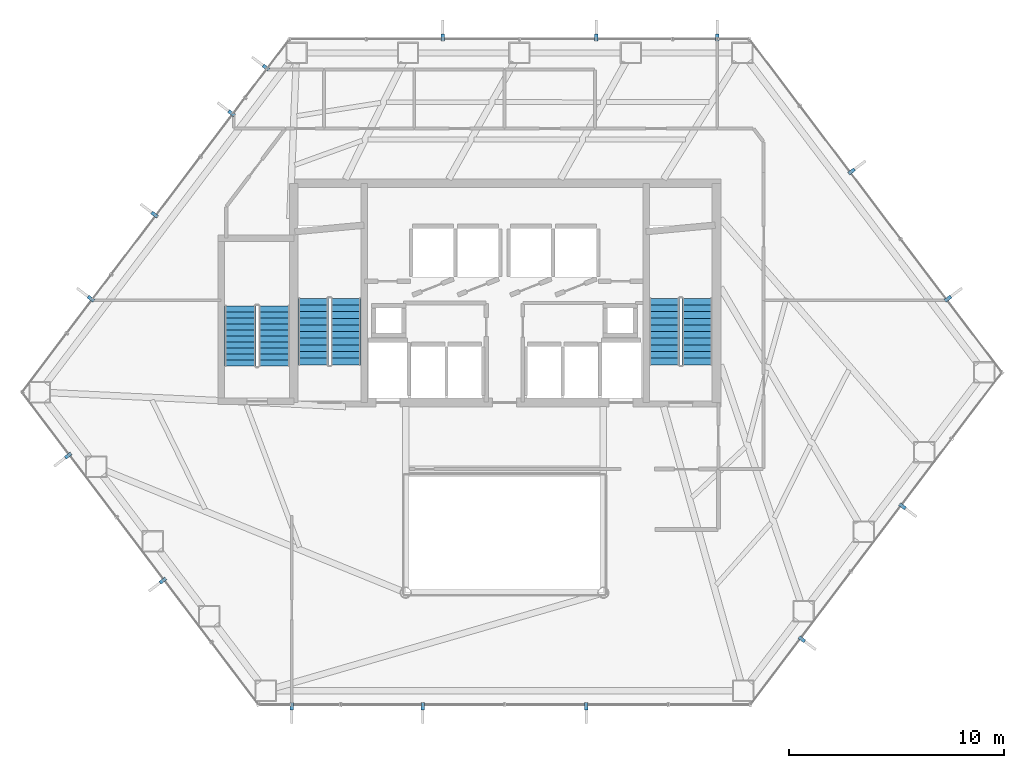
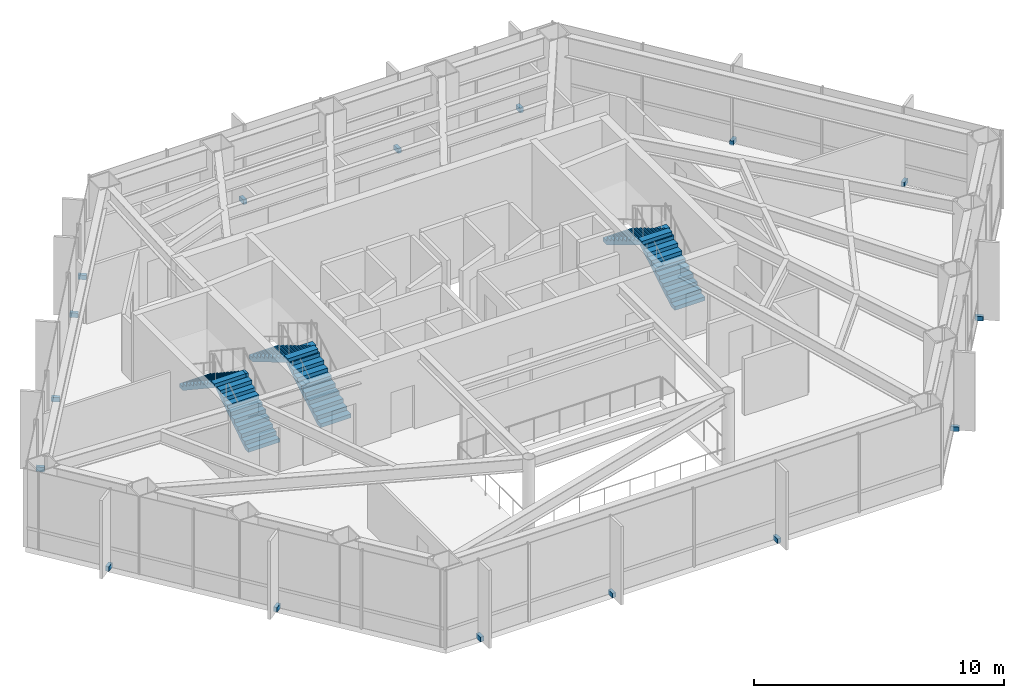
# One storey, part 25 of 26: 16 discrete accessories, 6 stair flights, 3 elements without a shape of their own.
"""IFC4 building model written with IfcOpenShell, lengths in metres."""

from ifc_helpers import new_model, si_unit, direction, frame, origin, origin_2d, place, context, subcontext, project, spatial, polyline, rectangle, outline, extrude, material, type_object, element, aggregate, save


model = new_model("IFC4")

# Units and contexts
model_context = context("Model", 3, precision=1e-05, world=origin(), true_north=direction((0.0, 1.0)))
body_context = subcontext(model_context, "Body", "Model", "MODEL_VIEW")
ifc_project = project(units=[si_unit("LENGTHUNIT", "METRE"), si_unit("AREAUNIT", "SQUARE_METRE"), si_unit("VOLUMEUNIT", "CUBIC_METRE"), si_unit("PLANEANGLEUNIT", "RADIAN"), si_unit("MASSUNIT", "GRAM", prefix="KILO")], contexts=[model_context])

# Site, building, storey
site_placement = place(None, origin())
site = spatial("IfcSite", under=ifc_project, at=site_placement, CompositionType="ELEMENT")
building_placement = place(site_placement, origin())
building = spatial("IfcBuilding", under=site, at=building_placement, Name="Zarrinselat Tower", CompositionType="ELEMENT")
storey_placement = place(building_placement, frame((0.0, 0.0, 27.5400390625)))
storey = spatial("IfcBuildingStorey", under=building, at=storey_placement, Name="L06", CompositionType="ELEMENT", Elevation=27.5400390625)

# Stair, stair flights
ifc_material_1 = material(Name="Concrete C40/50", Category="concrete")
stair_type_1 = type_object("IfcStairType", Name="STR-CORE-145", PredefinedType="HALF_TURN_STAIR", material=ifc_material_1)
stair_1_placement = place(storey_placement, origin())
stair_1 = element("IfcStair", 1, at=stair_1_placement, inside=storey, type_object=stair_type_1, Name="L06 Podium & Mid-Tower Exit Stair 3", PredefinedType="HALF_TURN_STAIR")
ifc_material_2 = material(Name="Concrete C40/50", Category="concrete")
stair_flight_type_1 = type_object("IfcStairFlightType", Name="STR-FLT-145", PredefinedType="STRAIGHT", material=ifc_material_2)
stair_flight_1_placement = place(storey_placement, frame((27.675048828125, 34.949951171875, 0.0), z_axis=(0.0, 0.0, 1.0), x_axis=(0.0, 1.0, 0.0)))
stair_flight_1 = element("IfcStairFlight", 2, at=stair_flight_1_placement, type_object=stair_flight_type_1, Name="ST-3 flight 1", NumberOfRisers=11, NumberOfTreads=10, PredefinedType="STRAIGHT", RiserHeight=0.185454545, TreadLength=0.28, context=body_context, shape_type="SweptSolid", body=[
    extrude(outline(polyline([(0.0, 0.0), (0.0, 0.185546875), (0.280029296875, 0.185546875), (0.280029296875, 0.370849609375), (0.56005859375, 0.370849609375), (0.56005859375, 0.556396484375), (0.840087890625, 0.556396484375), (0.840087890625, 0.74169921875), (1.1201171875, 0.74169921875), (1.1201171875, 0.92724609375), (1.39990234375, 0.92724609375), (1.39990234375, 1.11279296875), (1.679931640625, 1.11279296875), (1.679931640625, 1.298095703125), (1.9599609375, 1.298095703125), (1.9599609375, 1.483642578125), (2.239990234375, 1.483642578125), (2.239990234375, 1.669189453125), (2.52001953125, 1.669189453125), (2.52001953125, 1.8544921875), (2.800048828125, 1.8544921875), (2.800048828125, 2.0400390625), (2.800048828125, 1.6748046875), (0.271484375, 0.0), (0.0, 0.0)])), frame((0.0, 0.72509765625, 0.0), z_axis=(0.0, -1.0, 0.0), x_axis=(1.0, 0.0, 0.0)), (0.0, 0.0, 1.0), 1.449951171875),
])
stair_flight_2_placement = place(storey_placement, frame((26.10498046875, 37.75, 2.0400390625), z_axis=(0.0, 0.0, 1.0), x_axis=(0.0, -1.0, 0.0)))
stair_flight_2 = element("IfcStairFlight", 3, at=stair_flight_2_placement, type_object=stair_flight_type_1, Name="ST-3 flight 2", NumberOfRisers=11, NumberOfTreads=10, PredefinedType="STRAIGHT", RiserHeight=0.185454545, TreadLength=0.28, context=body_context, shape_type="SweptSolid", body=[
    extrude(outline(polyline([(0.0, 0.0), (0.0, 0.185546875), (0.280029296875, 0.185546875), (0.280029296875, 0.370849609375), (0.56005859375, 0.370849609375), (0.56005859375, 0.556396484375), (0.840087890625, 0.556396484375), (0.840087890625, 0.74169921875), (1.1201171875, 0.74169921875), (1.1201171875, 0.92724609375), (1.39990234375, 0.92724609375), (1.39990234375, 1.11279296875), (1.679931640625, 1.11279296875), (1.679931640625, 1.298095703125), (1.9599609375, 1.298095703125), (1.9599609375, 1.483642578125), (2.239990234375, 1.483642578125), (2.239990234375, 1.669189453125), (2.52001953125, 1.669189453125), (2.52001953125, 1.8544921875), (2.800048828125, 1.8544921875), (2.800048828125, 2.0400390625), (2.800048828125, 1.6748046875), (0.271484375, 0.0), (0.0, 0.0)])), frame((0.0, 0.72509765625, 0.0), z_axis=(0.0, -1.0, 0.0), x_axis=(1.0, 0.0, 0.0)), (0.0, 0.0, 1.0), 1.449951171875),
])
aggregate(stair_1, [stair_flight_1, stair_flight_2])

ifc_material_3 = material(Name="Concrete C40/50", Category="concrete")
stair_type_2 = type_object("IfcStairType", Name="STR-CORE-155", PredefinedType="HALF_TURN_STAIR", material=ifc_material_3)
stair_2_placement = place(storey_placement, origin())
stair_2 = element("IfcStair", 4, at=stair_2_placement, inside=storey, type_object=stair_type_2, Name="L06 Core Exit Stair 1", PredefinedType="HALF_TURN_STAIR")
ifc_material_4 = material(Name="Concrete C40/50", Category="concrete")
stair_flight_type_2 = type_object("IfcStairFlightType", Name="STR-FLT-155", PredefinedType="STRAIGHT", material=ifc_material_4)
stair_flight_3_placement = place(storey_placement, frame((31.02001953125, 35.0, 0.0), z_axis=(0.0, 0.0, 1.0), x_axis=(0.0, 1.0, 0.0)))
stair_flight_3 = element("IfcStairFlight", 5, at=stair_flight_3_placement, type_object=stair_flight_type_2, Name="ST-1 flight 1", NumberOfRisers=11, NumberOfTreads=10, PredefinedType="STRAIGHT", RiserHeight=0.185454545, TreadLength=0.31, context=body_context, shape_type="SweptSolid", body=[
    extrude(outline(polyline([(0.0, 0.0), (0.0, 0.185546875), (0.31005859375, 0.185546875), (0.31005859375, 0.370849609375), (0.6201171875, 0.370849609375), (0.6201171875, 0.556396484375), (0.929931640625, 0.556396484375), (0.929931640625, 0.74169921875), (1.239990234375, 0.74169921875), (1.239990234375, 0.92724609375), (1.550048828125, 0.92724609375), (1.550048828125, 1.11279296875), (1.860107421875, 1.11279296875), (1.860107421875, 1.298095703125), (2.169921875, 1.298095703125), (2.169921875, 1.483642578125), (2.47998046875, 1.483642578125), (2.47998046875, 1.669189453125), (2.7900390625, 1.669189453125), (2.7900390625, 1.8544921875), (3.10009765625, 1.8544921875), (3.10009765625, 2.0400390625), (3.10009765625, 1.679931640625), (0.2919921875, 0.0), (0.0, 0.0)])), frame((0.0, 0.699951171875, 0.0), z_axis=(0.0, -1.0, 0.0), x_axis=(1.0, 0.0, 0.0)), (0.0, 0.0, 1.0), 1.39990234375),
])
stair_flight_4_placement = place(storey_placement, frame((29.5, 38.10009765625, 2.0400390625), z_axis=(0.0, 0.0, 1.0), x_axis=(0.0, -1.0, 0.0)))
stair_flight_4 = element("IfcStairFlight", 6, at=stair_flight_4_placement, type_object=stair_flight_type_2, Name="ST-1 flight 2", NumberOfRisers=11, NumberOfTreads=10, PredefinedType="STRAIGHT", RiserHeight=0.185454545, TreadLength=0.31, context=body_context, shape_type="SweptSolid", body=[
    extrude(outline(polyline([(0.0, 0.0), (0.0, 0.185546875), (0.31005859375, 0.185546875), (0.31005859375, 0.370849609375), (0.6201171875, 0.370849609375), (0.6201171875, 0.556396484375), (0.929931640625, 0.556396484375), (0.929931640625, 0.74169921875), (1.239990234375, 0.74169921875), (1.239990234375, 0.92724609375), (1.550048828125, 0.92724609375), (1.550048828125, 1.11279296875), (1.860107421875, 1.11279296875), (1.860107421875, 1.298095703125), (2.169921875, 1.298095703125), (2.169921875, 1.483642578125), (2.47998046875, 1.483642578125), (2.47998046875, 1.669189453125), (2.7900390625, 1.669189453125), (2.7900390625, 1.8544921875), (3.10009765625, 1.8544921875), (3.10009765625, 2.0400390625), (3.10009765625, 1.679931640625), (0.2919921875, 0.0), (0.0, 0.0)])), frame((0.0, 0.699951171875, 0.0), z_axis=(0.0, -1.0, 0.0), x_axis=(1.0, 0.0, 0.0)), (0.0, 0.0, 1.0), 1.39990234375),
])
aggregate(stair_2, [stair_flight_3, stair_flight_4])

stair_3_placement = place(storey_placement, origin())
stair_3 = element("IfcStair", 7, at=stair_3_placement, inside=storey, type_object=stair_type_2, Name="L06 Core Exit Stair 2", PredefinedType="HALF_TURN_STAIR")
stair_flight_5_placement = place(storey_placement, frame((47.360107421875, 35.0, 0.0), z_axis=(0.0, 0.0, 1.0), x_axis=(0.0, 1.0, 0.0)))
stair_flight_5 = element("IfcStairFlight", 8, at=stair_flight_5_placement, type_object=stair_flight_type_2, Name="ST-2 flight 1", NumberOfRisers=11, NumberOfTreads=10, PredefinedType="STRAIGHT", RiserHeight=0.185454545, TreadLength=0.31, context=body_context, shape_type="SweptSolid", body=[
    extrude(outline(polyline([(0.0, 0.0), (0.0, 0.185546875), (0.31005859375, 0.185546875), (0.31005859375, 0.370849609375), (0.6201171875, 0.370849609375), (0.6201171875, 0.556396484375), (0.929931640625, 0.556396484375), (0.929931640625, 0.74169921875), (1.239990234375, 0.74169921875), (1.239990234375, 0.92724609375), (1.550048828125, 0.92724609375), (1.550048828125, 1.11279296875), (1.860107421875, 1.11279296875), (1.860107421875, 1.298095703125), (2.169921875, 1.298095703125), (2.169921875, 1.483642578125), (2.47998046875, 1.483642578125), (2.47998046875, 1.669189453125), (2.7900390625, 1.669189453125), (2.7900390625, 1.8544921875), (3.10009765625, 1.8544921875), (3.10009765625, 2.0400390625), (3.10009765625, 1.679931640625), (0.2919921875, 0.0), (0.0, 0.0)])), frame((0.0, 0.699951171875, 0.0), z_axis=(0.0, -1.0, 0.0), x_axis=(1.0, 0.0, 0.0)), (0.0, 0.0, 1.0), 1.39990234375),
])
stair_flight_6_placement = place(storey_placement, frame((45.840087890625, 38.10009765625, 2.0400390625), z_axis=(0.0, 0.0, 1.0), x_axis=(0.0, -1.0, 0.0)))
stair_flight_6 = element("IfcStairFlight", 9, at=stair_flight_6_placement, type_object=stair_flight_type_2, Name="ST-2 flight 2", NumberOfRisers=11, NumberOfTreads=10, PredefinedType="STRAIGHT", RiserHeight=0.185454545, TreadLength=0.31, context=body_context, shape_type="SweptSolid", body=[
    extrude(outline(polyline([(0.0, 0.0), (0.0, 0.185546875), (0.31005859375, 0.185546875), (0.31005859375, 0.370849609375), (0.6201171875, 0.370849609375), (0.6201171875, 0.556396484375), (0.929931640625, 0.556396484375), (0.929931640625, 0.74169921875), (1.239990234375, 0.74169921875), (1.239990234375, 0.92724609375), (1.550048828125, 0.92724609375), (1.550048828125, 1.11279296875), (1.860107421875, 1.11279296875), (1.860107421875, 1.298095703125), (2.169921875, 1.298095703125), (2.169921875, 1.483642578125), (2.47998046875, 1.483642578125), (2.47998046875, 1.669189453125), (2.7900390625, 1.669189453125), (2.7900390625, 1.8544921875), (3.10009765625, 1.8544921875), (3.10009765625, 2.0400390625), (3.10009765625, 1.679931640625), (0.2919921875, 0.0), (0.0, 0.0)])), frame((0.0, 0.699951171875, 0.0), z_axis=(0.0, -1.0, 0.0), x_axis=(1.0, 0.0, 0.0)), (0.0, 0.0, 1.0), 1.39990234375),
])
aggregate(stair_3, [stair_flight_5, stair_flight_6])

# Discrete accessories
ifc_material_5 = material(Name="Steel S355J2", Category="steel")
discrete_accessory_type = type_object("IfcDiscreteAccessoryType", Name="ACC-FIN-BRACKET", PredefinedType="BRACKET", material=ifc_material_5)
for number, where, z_axis, x_axis, name in (
    (10, (48.300048828125, 50.231201171875, -0.0498046875), (0.0, 0.0, 1.0), (0.0, 1.0, 0.0), "L06 Fin Fixing Bracket CW-L06-E01-01"),
    (11, (42.659423828125, 50.231201171875, -0.0498046875), (0.0, 0.0, 1.0), (0.0, 1.0, 0.0), "L06 Fin Fixing Bracket CW-L06-E01-03"),
    (12, (35.529296875, 50.231201171875, -0.0498046875), (0.0, 0.0, 1.0), (0.0, 1.0, 0.0), "L06 Fin Fixing Bracket CW-L06-E01-05"),
    (13, (27.302001953125, 48.82861328125, -0.0498046875), (0.0, 0.0, 1.0), (-0.797091369752, 0.603858715485, 0.0), "L06 Fin Fixing Bracket CW-L06-E02-01"),
    (14, (25.6962890625, 46.708984375, -0.0498046875), (0.0, 0.0, 1.0), (-0.797091369752, 0.603858715485, 0.0), "L06 Fin Fixing Bracket CW-L06-E02-03"),
    (15, (22.120361328125, 41.988525390625, -0.0498046875), (0.0, 0.0, 1.0), (-0.797091369752, 0.603858715485, 0.0), "L06 Fin Fixing Bracket CW-L06-E02-05"),
    (16, (19.158203125, 38.07861328125, -0.0498046875), (0.0, 0.0, 1.0), (-0.797091369752, 0.603858715485, 0.0), "L06 Fin Fixing Bracket CW-L06-E02-07"),
    (17, (18.10009765625, 30.781005859375, -0.0498046875), (0.0, 0.0, 1.0), (-0.797091748388, -0.603858215687, 0.0), "L06 Fin Fixing Bracket CW-L06-E03-01"),
    (18, (22.506591796875, 24.964599609375, -0.0498046875), (0.0, 0.0, 1.0), (-0.797091748388, -0.603858215687, 0.0), "L06 Fin Fixing Bracket CW-L06-E03-03"),
    (19, (28.5, 19.120361328125, -0.0498046875), (0.0, 0.0, 1.0), (0.0, -1.0, 0.0), "L06 Fin Fixing Bracket CW-L06-E04-01"),
    (20, (34.589599609375, 19.120361328125, -0.0498046875), (0.0, 0.0, 1.0), (0.0, -1.0, 0.0), "L06 Fin Fixing Bracket CW-L06-E04-03"),
    (21, (42.21044921875, 19.120361328125, -0.0498046875), (0.0, 0.0, 1.0), (0.0, -1.0, 0.0), "L06 Fin Fixing Bracket CW-L06-E04-05"),
    (22, (52.229248046875, 22.239501953125, -0.0498046875), (0.0, 0.0, 1.0), (0.797091621663, -0.603858382963, 0.0), "L06 Fin Fixing Bracket CW-L06-E05-01"),
    (23, (56.913330078125, 28.422607421875, -0.0498046875), (0.0, 0.0, 1.0), (0.797091621663, -0.603858382963, 0.0), "L06 Fin Fixing Bracket CW-L06-E05-03"),
    (24, (59.03076171875, 38.07861328125, -0.0498046875), (0.0, 0.0, 1.0), (0.797091473649, 0.603858578341, 0.0), "L06 Fin Fixing Bracket CW-L06-E06-01"),
    (25, (54.546142578125, 43.998291015625, -0.0498046875), (0.0, 0.0, 1.0), (0.797091473649, 0.603858578341, 0.0), "L06 Fin Fixing Bracket CW-L06-E06-03"),
):
    element("IfcDiscreteAccessory", number, at=place(storey_placement, frame(where, z_axis=z_axis, x_axis=x_axis)), inside=storey, type_object=discrete_accessory_type, Name=name, PredefinedType="BRACKET", context=body_context, shape_type="SweptSolid", body=[
        extrude(rectangle(XDim=0.340087890625, YDim=0.159912109375, at=origin_2d()), origin(), (0.0, 0.0, 1.0), 0.219970703125),
    ])

save(model, "model.ifc")
